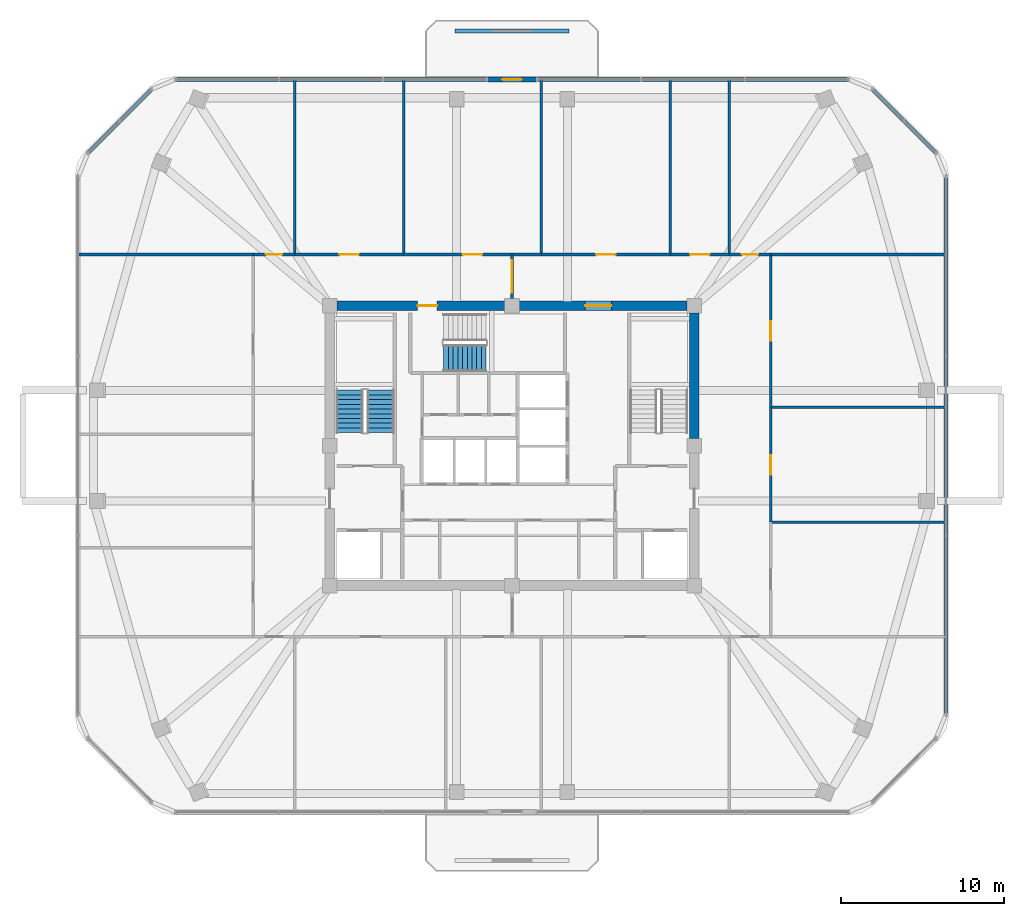
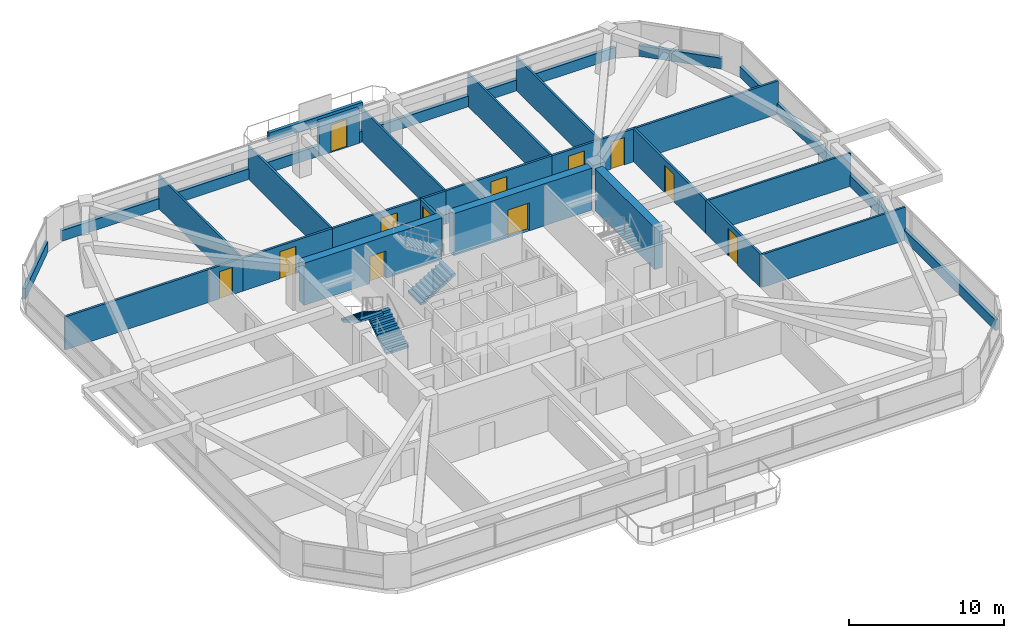
# One storey, part 10 of 13: 28 walls, 12 doors, 3 stair flights, 12 openings, 2 elements without a shape of their own.
"""IFC4 building model written with IfcOpenShell, lengths in metres."""

from ifc_helpers import new_model, si_unit, derived_unit, direction, frame, frame_2d, origin, place, context, subcontext, project, spatial, polyline, rectangle, outline, extrude, material, layer, layer_set, type_object, element, fill, aggregate, save


model = new_model("IFC4")

# Units and contexts
model_context = context("Model", 3, precision=1e-05, world=origin(), true_north=direction((0.0, 1.0)))
body_context = subcontext(model_context, "Body", "Model", "MODEL_VIEW")
ifc_project = project(units=[si_unit("LENGTHUNIT", "METRE"), si_unit("AREAUNIT", "SQUARE_METRE"), si_unit("VOLUMEUNIT", "CUBIC_METRE"), si_unit("PLANEANGLEUNIT", "RADIAN"), si_unit("MASSUNIT", "GRAM", prefix="KILO"), derived_unit("THERMALTRANSMITTANCEUNIT", [(si_unit("POWERUNIT", "WATT"), 1), (si_unit("LENGTHUNIT", "METRE"), -2), (si_unit("THERMODYNAMICTEMPERATUREUNIT", "KELVIN"), -1)])], contexts=[model_context])

# Site, building, storey
site_placement = place(None, origin())
site = spatial("IfcSite", under=ifc_project, at=site_placement, CompositionType="ELEMENT")
building_placement = place(site_placement, origin())
building = spatial("IfcBuilding", under=site, at=building_placement, Name="Koralith Skygarden Medical Center", CompositionType="ELEMENT")
storey_placement = place(building_placement, frame((0.0, 0.0, 217.97998046875)))
storey = spatial("IfcBuildingStorey", under=building, at=storey_placement, Name="L56", CompositionType="ELEMENT", Elevation=217.97998046875)

# Walls
ifc_material_1 = material(Name="Gypsum Board Partition")
ifc_layer_1 = layer(ifc_material_1, 0.14990234375)
ifc_layer_set_1 = layer_set([ifc_layer_1], Name="Gypsum Board Partition")
wall_type_1 = type_object("IfcWallType", Name="Clinical Acoustic Partition 150", PredefinedType="PARTITIONING", material=ifc_layer_set_1)
for number, where, z_axis, x_axis, name in (
    (1, (23.64990234375, 37.64990234375, 0.0), (0.0, 0.0, 1.0), (0.0, 1.0, 0.0), "L56 Clinical Acoustic Partition 150 W-PART-L56-N-01"),
    (2, (30.339111328125, 37.64990234375, 0.0), (0.0, 0.0, 1.0), (0.0, 1.0, 0.0), "L56 Clinical Acoustic Partition 150 W-PART-L56-N-02"),
    (3, (38.800048828125, 37.64990234375, 0.0), (0.0, 0.0, 1.0), (0.0, 1.0, 0.0), "L56 Clinical Acoustic Partition 150 W-PART-L56-N-03"),
    (4, (46.736083984375, 37.64990234375, 0.0), (0.0, 0.0, 1.0), (0.0, 1.0, 0.0), "L56 Clinical Acoustic Partition 150 W-PART-L56-N-04"),
    (5, (50.35009765625, 37.64990234375, 0.0), (0.0, 0.0, 1.0), (0.0, 1.0, 0.0), "L56 Clinical Acoustic Partition 150 W-PART-L56-N-05"),
):
    element("IfcWall", number, at=place(storey_placement, frame(where, z_axis=z_axis, x_axis=x_axis)), inside=storey, type_object=wall_type_1, Name=name, PredefinedType="PARTITIONING", context=body_context, shape_type="SweptSolid", body=[
        extrude(rectangle(XDim=10.735107421875, YDim=0.14990234375, at=frame_2d((5.36767578125, 0.0))), origin(), (0.0, 0.0, 1.0), 2.610107421875),
    ])
for number, where, z_axis, x_axis, name in (
    (6, (52.89990234375, 21.199951171875, 0.0), (0.0, 0.0, 1.0), (1.0, 0.0, 0.0), "L56 Clinical Acoustic Partition 150 W-PART-L56-E-01"),
    (7, (52.89990234375, 28.25, 0.0), (0.0, 0.0, 1.0), (1.0, 0.0, 0.0), "L56 Clinical Acoustic Partition 150 W-PART-L56-E-02"),
):
    element("IfcWall", number, at=place(storey_placement, frame(where, z_axis=z_axis, x_axis=x_axis)), inside=storey, type_object=wall_type_1, Name=name, PredefinedType="PARTITIONING", context=body_context, shape_type="SweptSolid", body=[
        extrude(rectangle(XDim=10.739013671875, YDim=0.14990234375, at=frame_2d((5.36962890625, 0.0))), origin(), (0.0, 0.0, 1.0), 2.610107421875),
    ])
ifc_layer_2 = layer(ifc_material_1, 0.1650390625)
ifc_layer_set_2 = layer_set([ifc_layer_2], Name="Gypsum Board Partition")
wall_type_2 = type_object("IfcWallType", Name="Clinical Corridor Partition 165", PredefinedType="PARTITIONING", material=ifc_layer_set_2)
wall_1_placement = place(storey_placement, frame((10.360107421875, 37.64990234375, 0.0), z_axis=(0.0, 0.0, 1.0), x_axis=(1.0, 0.0, 0.0)))
element("IfcWall", 8, at=wall_1_placement, inside=storey, type_object=wall_type_2, Name="L56 Clinical Corridor Partition 165 W-WB-L56-NW", PredefinedType="PARTITIONING", context=body_context, shape_type="SweptSolid", body=[
    extrude(rectangle(XDim=10.739990234375, YDim=0.1650390625, at=frame_2d((5.3701171875, 0.0))), origin(), (0.0, 0.0, 1.0), 2.610107421875),
])
wall_2_placement = place(storey_placement, frame((52.89990234375, 37.64990234375, 0.0), z_axis=(0.0, 0.0, 1.0), x_axis=(1.0, 0.0, 0.0)))
element("IfcWall", 9, at=wall_2_placement, inside=storey, type_object=wall_type_2, Name="L56 Clinical Corridor Partition 165 W-WB-L56-NE", PredefinedType="PARTITIONING", context=body_context, shape_type="SweptSolid", body=[
    extrude(rectangle(XDim=10.739013671875, YDim=0.1650390625, at=frame_2d((5.36962890625, 0.0))), origin(), (0.0, 0.0, 1.0), 2.610107421875),
])

# Wall, opening, door
wall_3_placement = place(storey_placement, frame((21.10009765625, 37.64990234375, 0.0), z_axis=(0.0, 0.0, 1.0), x_axis=(1.0, 0.0, 0.0)))
wall_3 = element("IfcWall", 10, at=wall_3_placement, inside=storey, type_object=wall_type_2, Name="L56 Clinical Corridor Partition 165 W-CORR-L56-N-01", PredefinedType="PARTITIONING", context=body_context, shape_type="SweptSolid", body=[
    extrude(rectangle(XDim=2.5498046875, YDim=0.1650390625, at=frame_2d((1.27490234375, 0.0))), origin(), (0.0, 0.0, 1.0), 2.610107421875),
])
opening_1_placement = place(wall_3_placement, frame((0.77490234375, 0.0, 0.0)))
opening_1 = element("IfcOpeningElement", 11, at=opening_1_placement, cuts=wall_3, Name="Opening D-SUP", PredefinedType="OPENING", context=body_context, shape_type="SweptSolid", body=[
    extrude(rectangle(XDim=1.0, YDim=2.14990234375, at=frame_2d((0.5, 1.074951171875))), frame((0.0, 0.092529296875, 0.0), z_axis=(0.0, -1.0, 0.0), x_axis=(1.0, 0.0, 0.0)), (0.0, 0.0, 1.0), 0.18505859375),
])
ifc_material_2 = material(Name="Aluminium 6063-T6", Category="aluminium")
door_type_1 = type_object("IfcDoorType", Name="Clinical Support Door D-SUP 1000", OperationType="NOTDEFINED", PredefinedType="DOOR", material=ifc_material_2)
door_1_placement = place(opening_1_placement, origin())
door_1 = element("IfcDoor", 12, at=door_1_placement, inside=storey, type_object=door_type_1, Name="L56 Transplant Family Resource Lounge 01 Door", OperationType="SINGLE_SWING_RIGHT", OverallHeight=2.14990234375, OverallWidth=1.0, PredefinedType="DOOR", context=body_context, shape_type="SweptSolid", body=[
    extrude(rectangle(XDim=1.0, YDim=2.14990234375, at=frame_2d((0.5, 1.074951171875))), frame((0.0, 0.02490234375, 0.0), z_axis=(0.0, -1.0, 0.0), x_axis=(1.0, 0.0, 0.0)), (0.0, 0.0, 1.0), 0.050048828125),
])
fill(opening_1, door_1)

wall_4_placement = place(storey_placement, frame((23.64990234375, 37.64990234375, 0.0), z_axis=(0.0, 0.0, 1.0), x_axis=(1.0, 0.0, 0.0)))
wall_4 = element("IfcWall", 13, at=wall_4_placement, inside=storey, type_object=wall_type_2, Name="L56 Clinical Corridor Partition 165 W-CORR-L56-N-02", PredefinedType="PARTITIONING", context=body_context, shape_type="SweptSolid", body=[
    extrude(rectangle(XDim=6.689208984375, YDim=0.1650390625, at=frame_2d((3.3447265625, 0.0))), origin(), (0.0, 0.0, 1.0), 2.610107421875),
])
opening_2_placement = place(wall_4_placement, frame((2.743896484375, 0.0, 0.0)))
opening_2 = element("IfcOpeningElement", 14, at=opening_2_placement, cuts=wall_4, Name="Opening D-CLN", PredefinedType="OPENING", context=body_context, shape_type="SweptSolid", body=[
    extrude(rectangle(XDim=1.199951171875, YDim=2.14990234375, at=frame_2d((0.60009765625, 1.074951171875))), frame((0.0, 0.092529296875, 0.0), z_axis=(0.0, -1.0, 0.0), x_axis=(1.0, 0.0, 0.0)), (0.0, 0.0, 1.0), 0.18505859375),
])
door_type_2 = type_object("IfcDoorType", Name="Clinical Corridor Door D-CLN 1200", OperationType="NOTDEFINED", PredefinedType="DOOR", material=ifc_material_2)
door_2_placement = place(opening_2_placement, origin())
door_2 = element("IfcDoor", 15, at=door_2_placement, inside=storey, type_object=door_type_2, Name="L56 Transplant Selection Conference Room 02 Door", OperationType="SINGLE_SWING_LEFT", OverallHeight=2.14990234375, OverallWidth=1.199951171875, PredefinedType="DOOR", context=body_context, shape_type="SweptSolid", body=[
    extrude(rectangle(XDim=1.199951171875, YDim=2.14990234375, at=frame_2d((0.60009765625, 1.074951171875))), frame((0.0, 0.02490234375, 0.0), z_axis=(0.0, -1.0, 0.0), x_axis=(1.0, 0.0, 0.0)), (0.0, 0.0, 1.0), 0.050048828125),
])
fill(opening_2, door_2)

wall_5_placement = place(storey_placement, frame((30.339111328125, 37.64990234375, 0.0), z_axis=(0.0, 0.0, 1.0), x_axis=(1.0, 0.0, 0.0)))
wall_5 = element("IfcWall", 16, at=wall_5_placement, inside=storey, type_object=wall_type_2, Name="L56 Clinical Corridor Partition 165 W-CORR-L56-N-03", PredefinedType="PARTITIONING", context=body_context, shape_type="SweptSolid", body=[
    extrude(rectangle(XDim=8.4609375, YDim=0.1650390625, at=frame_2d((4.23046875, 0.0))), origin(), (0.0, 0.0, 1.0), 2.610107421875),
])
opening_3_placement = place(wall_5_placement, frame((3.6298828125, 0.0, 0.0)))
opening_3 = element("IfcOpeningElement", 17, at=opening_3_placement, cuts=wall_5, Name="Opening D-CLN", PredefinedType="OPENING", context=body_context, shape_type="SweptSolid", body=[
    extrude(rectangle(XDim=1.199951171875, YDim=2.14990234375, at=frame_2d((0.60009765625, 1.074951171875))), frame((0.0, 0.092529296875, 0.0), z_axis=(0.0, -1.0, 0.0), x_axis=(1.0, 0.0, 0.0)), (0.0, 0.0, 1.0), 0.18505859375),
])
door_3_placement = place(opening_3_placement, origin())
door_3 = element("IfcDoor", 18, at=door_3_placement, inside=storey, type_object=door_type_2, Name="L56 Patient and Family Sky-Garden Day Lounge 03 Door", OperationType="SINGLE_SWING_RIGHT", OverallHeight=2.14990234375, OverallWidth=1.199951171875, PredefinedType="DOOR", context=body_context, shape_type="SweptSolid", body=[
    extrude(rectangle(XDim=1.199951171875, YDim=2.14990234375, at=frame_2d((0.60009765625, 1.074951171875))), frame((0.0, 0.02490234375, 0.0), z_axis=(0.0, -1.0, 0.0), x_axis=(1.0, 0.0, 0.0)), (0.0, 0.0, 1.0), 0.050048828125),
])
fill(opening_3, door_3)

wall_6_placement = place(storey_placement, frame((38.800048828125, 37.64990234375, 0.0), z_axis=(0.0, 0.0, 1.0), x_axis=(1.0, 0.0, 0.0)))
wall_6 = element("IfcWall", 19, at=wall_6_placement, inside=storey, type_object=wall_type_2, Name="L56 Clinical Corridor Partition 165 W-CORR-L56-N-04", PredefinedType="PARTITIONING", context=body_context, shape_type="SweptSolid", body=[
    extrude(rectangle(XDim=7.93603515625, YDim=0.1650390625, at=frame_2d((3.968017578125, 0.0))), origin(), (0.0, 0.0, 1.0), 2.610107421875),
])
opening_4_placement = place(wall_6_placement, frame((3.367919921875, 0.0, 0.0)))
opening_4 = element("IfcOpeningElement", 20, at=opening_4_placement, cuts=wall_6, Name="Opening D-CLN", PredefinedType="OPENING", context=body_context, shape_type="SweptSolid", body=[
    extrude(rectangle(XDim=1.199951171875, YDim=2.14990234375, at=frame_2d((0.60009765625, 1.074951171875))), frame((0.0, 0.092529296875, 0.0), z_axis=(0.0, -1.0, 0.0), x_axis=(1.0, 0.0, 0.0)), (0.0, 0.0, 1.0), 0.18505859375),
])
door_4_placement = place(opening_4_placement, origin())
door_4 = element("IfcDoor", 21, at=door_4_placement, inside=storey, type_object=door_type_2, Name="L56 Hepatology Exam Room 04 Door", OperationType="SINGLE_SWING_LEFT", OverallHeight=2.14990234375, OverallWidth=1.199951171875, PredefinedType="DOOR", context=body_context, shape_type="SweptSolid", body=[
    extrude(rectangle(XDim=1.199951171875, YDim=2.14990234375, at=frame_2d((0.60009765625, 1.074951171875))), frame((0.0, 0.02490234375, 0.0), z_axis=(0.0, -1.0, 0.0), x_axis=(1.0, 0.0, 0.0)), (0.0, 0.0, 1.0), 0.050048828125),
])
fill(opening_4, door_4)

wall_7_placement = place(storey_placement, frame((46.736083984375, 37.64990234375, 0.0), z_axis=(0.0, 0.0, 1.0), x_axis=(1.0, 0.0, 0.0)))
wall_7 = element("IfcWall", 22, at=wall_7_placement, inside=storey, type_object=wall_type_2, Name="L56 Clinical Corridor Partition 165 W-CORR-L56-N-05", PredefinedType="PARTITIONING", context=body_context, shape_type="SweptSolid", body=[
    extrude(rectangle(XDim=3.614013671875, YDim=0.1650390625, at=frame_2d((1.80712890625, 0.0))), origin(), (0.0, 0.0, 1.0), 2.610107421875),
])
opening_5_placement = place(wall_7_placement, frame((1.20703125, 0.0, 0.0)))
opening_5 = element("IfcOpeningElement", 23, at=opening_5_placement, cuts=wall_7, Name="Opening D-CLN", PredefinedType="OPENING", context=body_context, shape_type="SweptSolid", body=[
    extrude(rectangle(XDim=1.199951171875, YDim=2.14990234375, at=frame_2d((0.60009765625, 1.074951171875))), frame((0.0, 0.092529296875, 0.0), z_axis=(0.0, -1.0, 0.0), x_axis=(1.0, 0.0, 0.0)), (0.0, 0.0, 1.0), 0.18505859375),
])
door_5_placement = place(opening_5_placement, origin())
door_5 = element("IfcDoor", 24, at=door_5_placement, inside=storey, type_object=door_type_2, Name="L56 Transplant Coordinator Office 05 Door", OperationType="SINGLE_SWING_RIGHT", OverallHeight=2.14990234375, OverallWidth=1.199951171875, PredefinedType="DOOR", context=body_context, shape_type="SweptSolid", body=[
    extrude(rectangle(XDim=1.199951171875, YDim=2.14990234375, at=frame_2d((0.60009765625, 1.074951171875))), frame((0.0, 0.02490234375, 0.0), z_axis=(0.0, -1.0, 0.0), x_axis=(1.0, 0.0, 0.0)), (0.0, 0.0, 1.0), 0.050048828125),
])
fill(opening_5, door_5)

wall_8_placement = place(storey_placement, frame((50.35009765625, 37.64990234375, 0.0), z_axis=(0.0, 0.0, 1.0), x_axis=(1.0, 0.0, 0.0)))
wall_8 = element("IfcWall", 25, at=wall_8_placement, inside=storey, type_object=wall_type_2, Name="L56 Clinical Corridor Partition 165 W-CORR-L56-N-06", PredefinedType="PARTITIONING", context=body_context, shape_type="SweptSolid", body=[
    extrude(rectangle(XDim=2.5498046875, YDim=0.1650390625, at=frame_2d((1.27490234375, 0.0))), origin(), (0.0, 0.0, 1.0), 2.610107421875),
])
opening_6_placement = place(wall_8_placement, frame((0.77490234375, 0.0, 0.0)))
opening_6 = element("IfcOpeningElement", 26, at=opening_6_placement, cuts=wall_8, Name="Opening D-SUP", PredefinedType="OPENING", context=body_context, shape_type="SweptSolid", body=[
    extrude(rectangle(XDim=1.0, YDim=2.14990234375, at=frame_2d((0.5, 1.074951171875))), frame((0.0, 0.092529296875, 0.0), z_axis=(0.0, -1.0, 0.0), x_axis=(1.0, 0.0, 0.0)), (0.0, 0.0, 1.0), 0.18505859375),
])
door_6_placement = place(opening_6_placement, origin())
door_6 = element("IfcDoor", 27, at=door_6_placement, inside=storey, type_object=door_type_1, Name="L56 Transplant Family Resource Lounge 06 Door", OperationType="SINGLE_SWING_LEFT", OverallHeight=2.14990234375, OverallWidth=1.0, PredefinedType="DOOR", context=body_context, shape_type="SweptSolid", body=[
    extrude(rectangle(XDim=1.0, YDim=2.14990234375, at=frame_2d((0.5, 1.074951171875))), frame((0.0, 0.02490234375, 0.0), z_axis=(0.0, -1.0, 0.0), x_axis=(1.0, 0.0, 0.0)), (0.0, 0.0, 1.0), 0.050048828125),
])
fill(opening_6, door_6)

wall_9_placement = place(storey_placement, frame((52.89990234375, 21.199951171875, 0.0), z_axis=(0.0, 0.0, 1.0), x_axis=(0.0, 1.0, 0.0)))
wall_9 = element("IfcWall", 28, at=wall_9_placement, inside=storey, type_object=wall_type_2, Name="L56 Clinical Corridor Partition 165 W-CORR-L56-E-02", PredefinedType="PARTITIONING", context=body_context, shape_type="SweptSolid", body=[
    extrude(rectangle(XDim=7.050048828125, YDim=0.1650390625, at=frame_2d((3.52490234375, 0.0))), origin(), (0.0, 0.0, 1.0), 2.610107421875),
])
opening_7_placement = place(wall_9_placement, frame((2.925048828125, 0.0, 0.0)))
opening_7 = element("IfcOpeningElement", 29, at=opening_7_placement, cuts=wall_9, Name="Opening D-CLN", PredefinedType="OPENING", context=body_context, shape_type="SweptSolid", body=[
    extrude(rectangle(XDim=1.199951171875, YDim=2.14990234375, at=frame_2d((0.60009765625, 1.074951171875))), frame((0.0, 0.092529296875, 0.0), z_axis=(0.0, -1.0, 0.0), x_axis=(1.0, 0.0, 0.0)), (0.0, 0.0, 1.0), 0.18505859375),
])
door_7_placement = place(opening_7_placement, origin())
door_7 = element("IfcDoor", 30, at=door_7_placement, inside=storey, type_object=door_type_2, Name="L56 Transplant Selection Conference Room 16 Door", OperationType="SINGLE_SWING_LEFT", OverallHeight=2.14990234375, OverallWidth=1.199951171875, PredefinedType="DOOR", context=body_context, shape_type="SweptSolid", body=[
    extrude(rectangle(XDim=1.199951171875, YDim=2.14990234375, at=frame_2d((0.60009765625, 1.074951171875))), frame((0.0, 0.02490234375, 0.0), z_axis=(0.0, -1.0, 0.0), x_axis=(1.0, 0.0, 0.0)), (0.0, 0.0, 1.0), 0.050048828125),
])
fill(opening_7, door_7)

wall_10_placement = place(storey_placement, frame((52.89990234375, 28.25, 0.0), z_axis=(0.0, 0.0, 1.0), x_axis=(0.0, 1.0, 0.0)))
wall_10 = element("IfcWall", 31, at=wall_10_placement, inside=storey, type_object=wall_type_2, Name="L56 Clinical Corridor Partition 165 W-CORR-L56-E-03", PredefinedType="PARTITIONING", context=body_context, shape_type="SweptSolid", body=[
    extrude(rectangle(XDim=9.39990234375, YDim=0.1650390625, at=frame_2d((4.699951171875, 0.0))), origin(), (0.0, 0.0, 1.0), 2.610107421875),
])
opening_8_placement = place(wall_10_placement, frame((4.10009765625, 0.0, 0.0)))
opening_8 = element("IfcOpeningElement", 32, at=opening_8_placement, cuts=wall_10, Name="Opening D-CLN", PredefinedType="OPENING", context=body_context, shape_type="SweptSolid", body=[
    extrude(rectangle(XDim=1.199951171875, YDim=2.14990234375, at=frame_2d((0.60009765625, 1.074951171875))), frame((0.0, 0.092529296875, 0.0), z_axis=(0.0, -1.0, 0.0), x_axis=(1.0, 0.0, 0.0)), (0.0, 0.0, 1.0), 0.18505859375),
])
door_8_placement = place(opening_8_placement, origin())
door_8 = element("IfcDoor", 33, at=door_8_placement, inside=storey, type_object=door_type_2, Name="L56 Hepatology Exam Room 17 Door", OperationType="SINGLE_SWING_RIGHT", OverallHeight=2.14990234375, OverallWidth=1.199951171875, PredefinedType="DOOR", context=body_context, shape_type="SweptSolid", body=[
    extrude(rectangle(XDim=1.199951171875, YDim=2.14990234375, at=frame_2d((0.60009765625, 1.074951171875))), frame((0.0, 0.02490234375, 0.0), z_axis=(0.0, -1.0, 0.0), x_axis=(1.0, 0.0, 0.0)), (0.0, 0.0, 1.0), 0.050048828125),
])
fill(opening_8, door_8)

ifc_layer_3 = layer(ifc_material_1, 0.179931640625)
ifc_layer_set_3 = layer_set([ifc_layer_3], Name="Gypsum Board Partition")
wall_type_3 = type_object("IfcWallType", Name="Group I-2 Smoke Barrier Wall 180", PredefinedType="PARTITIONING", material=ifc_layer_set_3)
wall_11_placement = place(storey_placement, frame((37.0, 34.949951171875, 0.0), z_axis=(0.0, 0.0, 1.0), x_axis=(0.0, 1.0, 0.0)))
wall_11 = element("IfcWall", 34, at=wall_11_placement, inside=storey, type_object=wall_type_3, Name="L56 Group I-2 Smoke Barrier Wall 180 W-SMK-L56-N", PredefinedType="PARTITIONING", context=body_context, shape_type="SweptSolid", body=[
    extrude(rectangle(XDim=2.699951171875, YDim=0.179931640625, at=frame_2d((1.35009765625, 0.0))), origin(), (0.0, 0.0, 1.0), 2.610107421875),
])
opening_9_placement = place(wall_11_placement, frame((0.35009765625, 0.0, 0.0)))
opening_9 = element("IfcOpeningElement", 35, at=opening_9_placement, cuts=wall_11, Name="Opening D-SMK", PredefinedType="OPENING", context=body_context, shape_type="SweptSolid", body=[
    extrude(rectangle(XDim=2.0, YDim=2.199951171875, at=frame_2d((1.0, 1.10009765625))), frame((0.0, 0.099853515625, 0.0), z_axis=(0.0, -1.0, 0.0), x_axis=(1.0, 0.0, 0.0)), (0.0, 0.0, 1.0), 0.199951171875),
])
ifc_material_3 = material(Name="Steel ASTM A500 Grade C", Category="steel")
door_type_3 = type_object("IfcDoorType", Name="Cross-Corridor Double Smoke Door FD60S 2000", OperationType="NOTDEFINED", PredefinedType="DOOR", material=ifc_material_3)
door_9_placement = place(opening_9_placement, origin())
door_9 = element("IfcDoor", 36, at=door_9_placement, inside=storey, type_object=door_type_3, Name="L56 N Smoke Compartment Cross-Corridor Door", OperationType="DOUBLE_DOOR_SINGLE_SWING", OverallHeight=2.199951171875, OverallWidth=2.0, PredefinedType="DOOR", context=body_context, shape_type="SweptSolid", body=[
    extrude(rectangle(XDim=2.0, YDim=2.199951171875, at=frame_2d((1.0, 1.10009765625))), frame((0.0, 0.02490234375, 0.0), z_axis=(0.0, -1.0, 0.0), x_axis=(1.0, 0.0, 0.0)), (0.0, 0.0, 1.0), 0.050048828125),
])
fill(opening_9, door_9)

# Walls
ifc_material_4 = material(Name="Warm Oolitic Limestone Cladding", Category="masonry")
ifc_layer_4 = layer(ifc_material_4, 0.239990234375)
ifc_layer_set_4 = layer_set([ifc_layer_4], Name="Warm Oolitic Limestone Cladding")
wall_type_4 = type_object("IfcWallType", Name="Limestone Spandrel Sill Backup Wall 240", PredefinedType="SOLIDWALL", material=ifc_layer_set_4)
wall_12_placement = place(storey_placement, frame((63.659912109375, 9.37109375, 0.0), z_axis=(0.0, 0.0, 1.0), x_axis=(0.0, 1.0, 0.0)))
element("IfcWall", 37, at=wall_12_placement, inside=storey, type_object=wall_type_4, Name="L56 Sill Spandrel E", PredefinedType="SOLIDWALL", context=body_context, shape_type="SweptSolid", body=[
    extrude(rectangle(XDim=33.057861328125, YDim=0.239990234375, at=frame_2d((16.52880859375, 0.0))), origin(), (0.0, 0.0, 1.0), 0.85009765625),
])
wall_13_placement = place(storey_placement, frame((63.05810546875, 43.8798828125, 0.0), z_axis=(0.0, 0.0, 1.0), x_axis=(-0.707106781187, 0.707106781187, 0.0)))
element("IfcWall", 38, at=wall_13_placement, inside=storey, type_object=wall_type_4, Name="L56 Sill Spandrel NE", PredefinedType="SOLIDWALL", context=body_context, shape_type="SweptSolid", body=[
    extrude(rectangle(XDim=5.548095703125, YDim=0.239990234375, at=frame_2d((2.77392578125, 0.0))), origin(), (0.0, 0.0, 1.0), 0.85009765625),
])
for number, where, z_axis, x_axis, name in (
    (39, (57.68408203125, 48.404052734375, 0.0), (0.0, 0.0, 1.0), (-1.0, 0.0, 0.0), "L56 Sill Spandrel N-L"),
    (40, (35.4599609375, 48.404052734375, 0.0), (0.0, 0.0, 1.0), (-1.0, 0.0, 0.0), "L56 Sill Spandrel N-R"),
):
    element("IfcWall", number, at=place(storey_placement, frame(where, z_axis=z_axis, x_axis=x_axis)), inside=storey, type_object=wall_type_4, Name=name, PredefinedType="SOLIDWALL", context=body_context, shape_type="SweptSolid", body=[
        extrude(rectangle(XDim=19.14404296875, YDim=0.239990234375, at=frame_2d((9.572021484375, 0.0))), origin(), (0.0, 0.0, 1.0), 0.85009765625),
    ])
wall_14_placement = place(storey_placement, frame((14.864990234375, 47.802978515625, 0.0), z_axis=(0.0, 0.0, 1.0), x_axis=(-0.707106781187, -0.707106781187, 0.0)))
element("IfcWall", 41, at=wall_14_placement, inside=storey, type_object=wall_type_4, Name="L56 Sill Spandrel NW", PredefinedType="SOLIDWALL", context=body_context, shape_type="SweptSolid", body=[
    extrude(rectangle(XDim=5.548095703125, YDim=0.239990234375, at=frame_2d((2.77392578125, 0.0))), origin(), (0.0, 0.0, 1.0), 0.85009765625),
])

# Wall, opening, door
ifc_layer_5 = layer(ifc_material_4, 0.300048828125)
ifc_layer_set_5 = layer_set([ifc_layer_5], Name="Warm Oolitic Limestone Cladding")
wall_type_5 = type_object("IfcWallType", Name="Oolitic Limestone Insulated Facade Wall 300", PredefinedType="SOLIDWALL", material=ifc_layer_set_5)
wall_15_placement = place(storey_placement, frame((38.5, 48.404052734375, 0.0), z_axis=(0.0, 0.0, 1.0), x_axis=(-1.0, 0.0, 0.0)))
wall_15 = element("IfcWall", 42, at=wall_15_placement, inside=storey, type_object=wall_type_5, Name="L56 Terrace Portal Wall N", PredefinedType="SOLIDWALL", context=body_context, shape_type="SweptSolid", body=[
    extrude(rectangle(XDim=3.0, YDim=0.300048828125, at=frame_2d((1.5, 0.0))), origin(), (0.0, 0.0, 1.0), 2.68994140625),
])
opening_10_placement = place(wall_15_placement, frame((0.89990234375, 0.0, 0.0)))
opening_10 = element("IfcOpeningElement", 43, at=opening_10_placement, cuts=wall_15, Name="Opening D-BAL", PredefinedType="OPENING", context=body_context, shape_type="SweptSolid", body=[
    extrude(rectangle(XDim=1.199951171875, YDim=2.199951171875, at=frame_2d((0.60009765625, 1.10009765625))), frame((0.0, 0.159912109375, 0.0), z_axis=(0.0, -1.0, 0.0), x_axis=(1.0, 0.0, 0.0)), (0.0, 0.0, 1.0), 0.320068359375),
])
door_type_4 = type_object("IfcDoorType", Name="Planted Balcony Glazed Terrace Door D-BAL 1200", OperationType="NOTDEFINED", PredefinedType="DOOR", material=ifc_material_2)
door_10_placement = place(opening_10_placement, origin())
door_10 = element("IfcDoor", 44, at=door_10_placement, inside=storey, type_object=door_type_4, Name="L56 N Outdoor Terrace Access Door", OperationType="SINGLE_SWING_LEFT", OverallHeight=2.199951171875, OverallWidth=1.199951171875, PredefinedType="DOOR", context=body_context, shape_type="SweptSolid", body=[
    extrude(rectangle(XDim=1.199951171875, YDim=2.199951171875, at=frame_2d((0.60009765625, 1.10009765625))), frame((0.0, 0.02490234375, 0.0), z_axis=(0.0, -1.0, 0.0), x_axis=(1.0, 0.0, 0.0)), (0.0, 0.0, 1.0), 0.050048828125),
])
fill(opening_10, door_10)

# Walls
ifc_material_5 = material(Name="Precast concrete C40/50", Category="concrete")
ifc_layer_6 = layer(ifc_material_5, 0.25)
ifc_layer_set_6 = layer_set([ifc_layer_6], Name="Precast concrete C40/50")
wall_type_6 = type_object("IfcWallType", Name="Structural Concrete Balcony Planter Kerb 250", PredefinedType="PARAPET", material=ifc_layer_set_6)
wall_16_placement = place(storey_placement, frame((33.5, 51.385009765625, 0.0), z_axis=(0.0, 0.0, 1.0), x_axis=(1.0, 0.0, 0.0)))
element("IfcWall", 45, at=wall_16_placement, inside=storey, type_object=wall_type_6, Name="L56 N Structural Tree PLANTER Box", PredefinedType="PARAPET", context=body_context, shape_type="SweptSolid", body=[
    extrude(rectangle(XDim=7.0, YDim=0.25, at=frame_2d((3.5, 0.0))), origin(), (0.0, 0.0, 1.0), 0.719970703125),
])
ifc_material_6 = material(Name="Concrete C55/67", Category="concrete")
ifc_layer_7 = layer(ifc_material_6, 0.60009765625)
ifc_layer_set_7 = layer_set([ifc_layer_7], Name="Concrete C55/67")
wall_type_7 = type_object("IfcWallType", Name="Upper Core Shear Wall 600", PredefinedType="SHEAR", material=ifc_layer_set_7)
wall_17_placement = place(storey_placement, frame((48.199951171875, 26.344970703125, 0.0), z_axis=(0.0, 0.0, 1.0), x_axis=(0.0, 1.0, 0.0)))
element("IfcWall", 46, at=wall_17_placement, inside=storey, type_object=wall_type_7, Name="L56 Core Shear Wall Segment 4", PredefinedType="SHEAR", context=body_context, shape_type="SweptSolid", body=[
    extrude(rectangle(XDim=7.7099609375, YDim=0.60009765625, at=frame_2d((3.85498046875, 0.0))), origin(), (0.0, 0.0, 1.0), 3.320068359375),
])

# Wall, opening, door
wall_18_placement = place(storey_placement, frame((47.7548828125, 34.5, 0.0), z_axis=(0.0, 0.0, 1.0), x_axis=(-1.0, 0.0, 0.0)))
wall_18 = element("IfcWall", 47, at=wall_18_placement, inside=storey, type_object=wall_type_7, Name="L56 Core Shear Wall Segment 5", PredefinedType="SHEAR", context=body_context, shape_type="SweptSolid", body=[
    extrude(rectangle(XDim=10.309814453125, YDim=0.60009765625, at=frame_2d((5.15478515625, 0.0))), origin(), (0.0, 0.0, 1.0), 3.320068359375),
])
opening_11_placement = place(wall_18_placement, frame((4.655029296875, 0.0, 0.0)))
opening_11 = element("IfcOpeningElement", 48, at=opening_11_placement, cuts=wall_18, Name="Opening D-DBL", PredefinedType="OPENING", context=body_context, shape_type="SweptSolid", body=[
    extrude(rectangle(XDim=1.60009765625, YDim=2.199951171875, at=frame_2d((0.800048828125, 1.10009765625))), frame((0.0, 0.31005859375, 0.0), z_axis=(0.0, -1.0, 0.0), x_axis=(1.0, 0.0, 0.0)), (0.0, 0.0, 1.0), 0.6201171875),
])
door_type_5 = type_object("IfcDoorType", Name="Double Clinical Suite Door D-DBL 1600", OperationType="NOTDEFINED", PredefinedType="DOOR", material=ifc_material_2)
door_11_placement = place(opening_11_placement, frame((1.60009765625, 0.0, 0.0), z_axis=(0.0, 0.0, 1.0), x_axis=(-1.0, 0.0, 0.0)))
door_11 = element("IfcDoor", 49, at=door_11_placement, inside=storey, type_object=door_type_5, Name="L56 North-East Corridor to Elevator Lobby Door", OperationType="DOUBLE_DOOR_SINGLE_SWING", OverallHeight=2.199951171875, OverallWidth=1.60009765625, PredefinedType="DOOR", context=body_context, shape_type="SweptSolid", body=[
    extrude(rectangle(XDim=1.60009765625, YDim=2.199951171875, at=frame_2d((0.800048828125, 1.10009765625))), frame((0.0, 0.02490234375, 0.0), z_axis=(0.0, -1.0, 0.0), x_axis=(1.0, 0.0, 0.0)), (0.0, 0.0, 1.0), 0.050048828125),
])
fill(opening_11, door_11)

wall_19_placement = place(storey_placement, frame((36.554931640625, 34.5, 0.0), z_axis=(0.0, 0.0, 1.0), x_axis=(-1.0, 0.0, 0.0)))
wall_19 = element("IfcWall", 50, at=wall_19_placement, inside=storey, type_object=wall_type_7, Name="L56 Core Shear Wall Segment 6", PredefinedType="SHEAR", context=body_context, shape_type="SweptSolid", body=[
    extrude(rectangle(XDim=10.309814453125, YDim=0.60009765625, at=frame_2d((5.15478515625, 0.0))), origin(), (0.0, 0.0, 1.0), 3.320068359375),
])
opening_12_placement = place(wall_19_placement, frame((4.155029296875, 0.0, 0.0)))
opening_12 = element("IfcOpeningElement", 51, at=opening_12_placement, cuts=wall_19, Name="Opening D-ST60", PredefinedType="OPENING", context=body_context, shape_type="SweptSolid", body=[
    extrude(rectangle(XDim=1.199951171875, YDim=2.14990234375, at=frame_2d((0.60009765625, 1.074951171875))), frame((0.0, 0.31005859375, 0.0), z_axis=(0.0, -1.0, 0.0), x_axis=(1.0, 0.0, 0.0)), (0.0, 0.0, 1.0), 0.6201171875),
])
door_type_6 = type_object("IfcDoorType", Name="Smokeproof Stair Fire Door FD60S 1200", OperationType="NOTDEFINED", PredefinedType="DOOR", material=ifc_material_3)
door_12_placement = place(opening_12_placement, frame((1.199951171875, 0.0, 0.0), z_axis=(0.0, 0.0, 1.0), x_axis=(-1.0, 0.0, 0.0)))
door_12 = element("IfcDoor", 52, at=door_12_placement, inside=storey, type_object=door_type_6, Name="L56 Exit Stair ST3 Fire Door", OperationType="SINGLE_SWING_LEFT", OverallHeight=2.14990234375, OverallWidth=1.199951171875, PredefinedType="DOOR", context=body_context, shape_type="SweptSolid", body=[
    extrude(rectangle(XDim=1.199951171875, YDim=2.14990234375, at=frame_2d((0.60009765625, 1.074951171875))), frame((0.0, 0.02490234375, 0.0), z_axis=(0.0, -1.0, 0.0), x_axis=(1.0, 0.0, 0.0)), (0.0, 0.0, 1.0), 0.050048828125),
])
fill(opening_12, door_12)

# Stair, stair flights
ifc_material_7 = material(Name="Concrete C45/55", Category="concrete")
stair_type = type_object("IfcStairType", Name="Core Exit Dogleg Concrete Stair", PredefinedType="HALF_TURN_STAIR", material=ifc_material_7)
stair_1_placement = place(storey_placement, origin())
stair_1 = element("IfcStair", 53, at=stair_1_placement, inside=storey, type_object=stair_type, Name="L56 Smokeproof Exit Stair ST1", PredefinedType="HALF_TURN_STAIR")
stair_flight_type = type_object("IfcStairFlightType", Name="Core Exit Concrete Stair Flight 1650", PredefinedType="STRAIGHT", material=ifc_material_7)
stair_flight_1_placement = place(storey_placement, frame((28.925048828125, 26.699951171875, 0.0), z_axis=(0.0, 0.0, 1.0), x_axis=(0.0, 1.0, 0.0)))
stair_flight_1 = element("IfcStairFlight", 54, at=stair_flight_1_placement, type_object=stair_flight_type, Name="ST1 flight 1", NumberOfRisers=10, NumberOfTreads=9, PredefinedType="STRAIGHT", RiserHeight=0.18, TreadLength=0.29, context=body_context, shape_type="SweptSolid", body=[
    extrude(outline(polyline([(0.0, 0.0), (0.0, 0.179931640625), (0.2900390625, 0.179931640625), (0.2900390625, 0.360107421875), (0.580078125, 0.360107421875), (0.580078125, 0.5400390625), (0.8701171875, 0.5400390625), (0.8701171875, 0.719970703125), (1.159912109375, 0.719970703125), (1.159912109375, 0.89990234375), (1.449951171875, 0.89990234375), (1.449951171875, 1.080078125), (1.739990234375, 1.080078125), (1.739990234375, 1.260009765625), (2.030029296875, 1.260009765625), (2.030029296875, 1.43994140625), (2.320068359375, 1.43994140625), (2.320068359375, 1.6201171875), (2.610107421875, 1.6201171875), (2.610107421875, 1.800048828125), (2.610107421875, 1.443603515625), (0.2841796875, 0.0), (0.0, 0.0)])), frame((0.0, 0.824951171875, 0.0), z_axis=(0.0, -1.0, 0.0), x_axis=(1.0, 0.0, 0.0)), (0.0, 0.0, 1.0), 1.64990234375),
])
stair_flight_2_placement = place(storey_placement, frame((27.02490234375, 29.31005859375, 1.800048828125), z_axis=(0.0, 0.0, 1.0), x_axis=(0.0, -1.0, 0.0)))
stair_flight_2 = element("IfcStairFlight", 55, at=stair_flight_2_placement, type_object=stair_flight_type, Name="ST1 flight 2", NumberOfRisers=10, NumberOfTreads=9, PredefinedType="STRAIGHT", RiserHeight=0.18, TreadLength=0.29, context=body_context, shape_type="SweptSolid", body=[
    extrude(outline(polyline([(0.0, 0.0), (0.0, 0.179931640625), (0.2900390625, 0.179931640625), (0.2900390625, 0.360107421875), (0.580078125, 0.360107421875), (0.580078125, 0.5400390625), (0.8701171875, 0.5400390625), (0.8701171875, 0.719970703125), (1.159912109375, 0.719970703125), (1.159912109375, 0.89990234375), (1.449951171875, 0.89990234375), (1.449951171875, 1.080078125), (1.739990234375, 1.080078125), (1.739990234375, 1.260009765625), (2.030029296875, 1.260009765625), (2.030029296875, 1.43994140625), (2.320068359375, 1.43994140625), (2.320068359375, 1.6201171875), (2.610107421875, 1.6201171875), (2.610107421875, 1.800048828125), (2.610107421875, 1.443603515625), (0.2841796875, 0.0), (0.0, 0.0)])), frame((0.0, 0.824951171875, 0.0), z_axis=(0.0, -1.0, 0.0), x_axis=(1.0, 0.0, 0.0)), (0.0, 0.0, 1.0), 1.64990234375),
])
aggregate(stair_1, [stair_flight_1, stair_flight_2])

# Stair, stair flight
stair_2_placement = place(storey_placement, origin())
stair_2 = element("IfcStair", 56, at=stair_2_placement, inside=storey, type_object=stair_type, Name="L56 Smokeproof Exit Stair ST3", PredefinedType="HALF_TURN_STAIR")
stair_flight_3_placement = place(storey_placement, frame((32.800048828125, 31.27490234375, 0.0), z_axis=(0.0, 0.0, 1.0), x_axis=(1.0, 0.0, 0.0)))
stair_flight_3 = element("IfcStairFlight", 57, at=stair_flight_3_placement, type_object=stair_flight_type, Name="ST3 flight 1", NumberOfRisers=10, NumberOfTreads=9, PredefinedType="STRAIGHT", RiserHeight=0.18, TreadLength=0.29, context=body_context, shape_type="SweptSolid", body=[
    extrude(outline(polyline([(0.0, 0.0), (0.0, 0.179931640625), (0.2900390625, 0.179931640625), (0.2900390625, 0.360107421875), (0.580078125, 0.360107421875), (0.580078125, 0.5400390625), (0.8701171875, 0.5400390625), (0.8701171875, 0.719970703125), (1.159912109375, 0.719970703125), (1.159912109375, 0.89990234375), (1.449951171875, 0.89990234375), (1.449951171875, 1.080078125), (1.739990234375, 1.080078125), (1.739990234375, 1.260009765625), (2.030029296875, 1.260009765625), (2.030029296875, 1.43994140625), (2.320068359375, 1.43994140625), (2.320068359375, 1.6201171875), (2.610107421875, 1.6201171875), (2.610107421875, 1.800048828125), (2.610107421875, 1.443603515625), (0.2841796875, 0.0), (0.0, 0.0)])), frame((0.0, 0.824951171875, 0.0), z_axis=(0.0, -1.0, 0.0), x_axis=(1.0, 0.0, 0.0)), (0.0, 0.0, 1.0), 1.64990234375),
])
aggregate(stair_2, [stair_flight_3])

save(model, "model.ifc")
